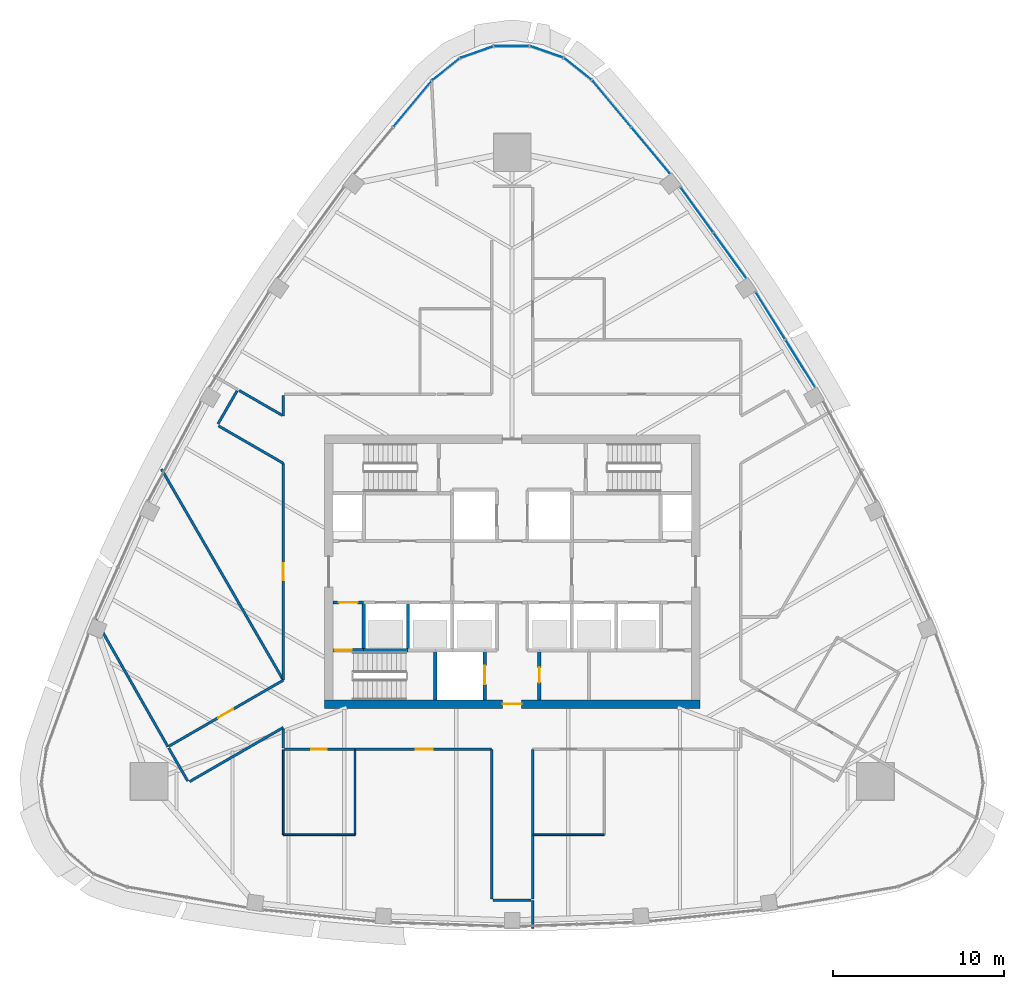
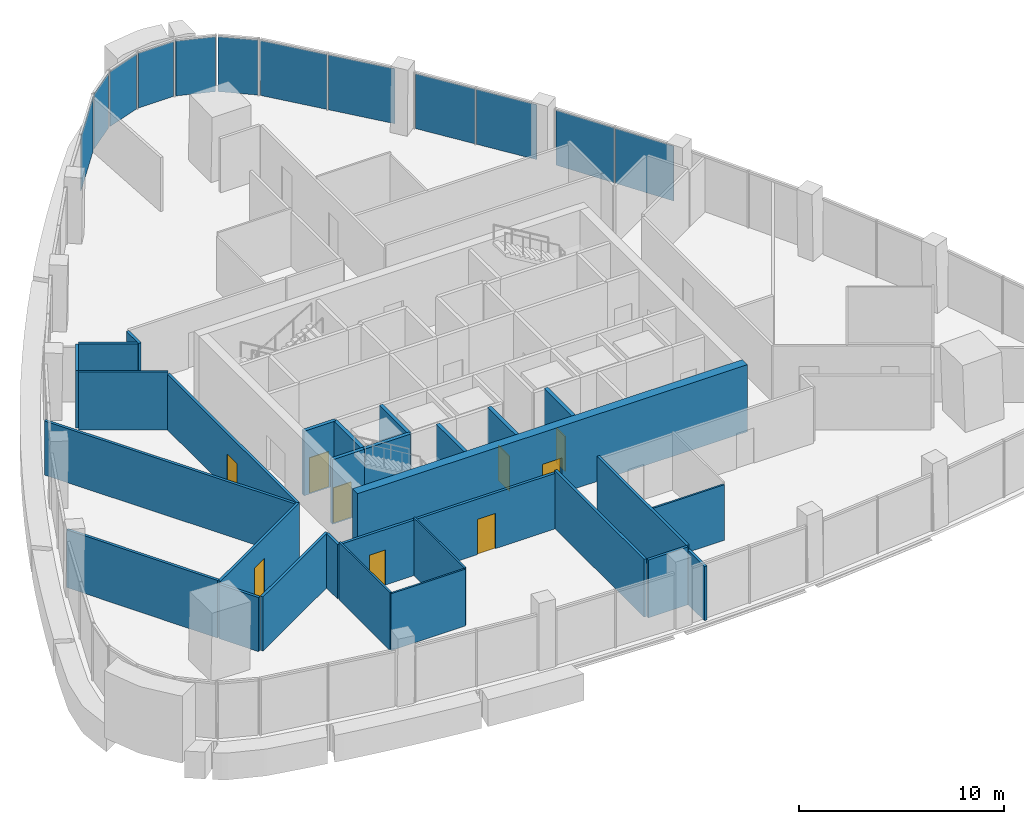
# One storey, part 8 of 15: 29 walls, 12 plates, 9 doors, 9 openings, 9 elements without a shape of their own.
"""IFC4 building model written with IfcOpenShell, lengths in metres."""

from ifc_helpers import new_model, si_unit, direction, frame, frame_2d, origin, origin_2d, place, context, subcontext, project, spatial, rectangle, extrude, material, layer, layer_set, type_object, element, fill, aggregate, save


model = new_model("IFC4")

# Units and contexts
model_context = context("Model", 3, precision=1e-05, world=origin(), true_north=direction((0.0, 1.0)))
body_context = subcontext(model_context, "Body", "Model", "MODEL_VIEW")
ifc_project = project(units=[si_unit("LENGTHUNIT", "METRE"), si_unit("AREAUNIT", "SQUARE_METRE"), si_unit("VOLUMEUNIT", "CUBIC_METRE"), si_unit("PLANEANGLEUNIT", "RADIAN"), si_unit("MASSUNIT", "GRAM", prefix="KILO")], contexts=[model_context])

# Site, building, storey
site_placement = place(None, origin())
site = spatial("IfcSite", under=ifc_project, at=site_placement, CompositionType="ELEMENT")
building_placement = place(site_placement, origin())
building = spatial("IfcBuilding", under=site, at=building_placement, Name="Sierra Prisma Convention Tower", CompositionType="ELEMENT")
storey_placement = place(building_placement, frame((0.0, 0.0, 267.0)))
storey = spatial("IfcBuildingStorey", under=building, at=storey_placement, Name="L60", CompositionType="ELEMENT", Elevation=267.0)

# Curtain wall, plates
ifc_material_1 = material(Name="Aluminium and glass curtain wall", Category="aluminium")
ifc_layer_1 = layer(ifc_material_1, 0.179931640625)
ifc_layer_set_1 = layer_set([ifc_layer_1], Name="CW-1 Plain shaft curtain wall")
curtain_wall_type = type_object("IfcCurtainWallType", Name="CW-1 Plain shaft curtain wall", PredefinedType="NOTDEFINED", material=ifc_layer_set_1)
curtain_wall_1_placement = place(storey_placement, origin())
curtain_wall_1 = element("IfcCurtainWall", 1, at=curtain_wall_1_placement, inside=storey, type_object=curtain_wall_type, Name="CW-1 NE4 L60", PredefinedType="NOTDEFINED")
ifc_material_2 = material(Name="Tinted glass bronze-grey IGU", Category="glass")
ifc_layer_2 = layer(ifc_material_2, 0.028076171875)
ifc_layer_set_2 = layer_set([ifc_layer_2], Name="CW-1 glass panel")
plate_type = type_object("IfcPlateType", Name="CW-1 glass panel", PredefinedType="CURTAIN_PANEL", material=ifc_layer_set_2)
plate_1_placement = place(storey_placement, frame((16.86767578125, 12.200927734375, 0.0), z_axis=(0.0, 0.0, 1.0), x_axis=(-0.52938960412, 0.848378834631, 0.0)))
plate_1 = element("IfcPlate", 2, at=plate_1_placement, type_object=plate_type, Name="CW-1 panel NE4.1", PredefinedType="CURTAIN_PANEL", context=body_context, shape_type="SweptSolid", body=[
    extrude(rectangle(XDim=3.227294921875, YDim=0.028076171875, at=origin_2d()), origin(), (0.0, 0.0, 1.0), 3.280029296875),
])
plate_2_placement = place(storey_placement, frame((15.1220703125, 14.998291015625, 0.0), z_axis=(0.0, 0.0, 1.0), x_axis=(-0.52938960412, 0.848378834631, 0.0)))
plate_2 = element("IfcPlate", 3, at=plate_2_placement, type_object=plate_type, Name="CW-1 panel NE4.2", PredefinedType="CURTAIN_PANEL", context=body_context, shape_type="SweptSolid", body=[
    extrude(rectangle(XDim=3.227294921875, YDim=0.028076171875, at=origin_2d()), origin(), (0.0, 0.0, 1.0), 3.280029296875),
])
aggregate(curtain_wall_1, [plate_1, plate_2])

curtain_wall_2_placement = place(storey_placement, origin())
curtain_wall_2 = element("IfcCurtainWall", 4, at=curtain_wall_2_placement, inside=storey, type_object=curtain_wall_type, Name="CW-1 NE5 L60", PredefinedType="NOTDEFINED")
plate_3_placement = place(storey_placement, frame((12.73974609375, 18.541015625, 0.0), z_axis=(0.0, 0.0, 1.0), x_axis=(-0.5862686693, 0.810116687519, 0.0)))
plate_3 = element("IfcPlate", 5, at=plate_3_placement, type_object=plate_type, Name="CW-1 panel NE5.1", PredefinedType="CURTAIN_PANEL", context=body_context, shape_type="SweptSolid", body=[
    extrude(rectangle(XDim=3.212158203125, YDim=0.028076171875, at=origin_2d()), origin(), (0.0, 0.0, 1.0), 3.280029296875),
])
plate_4_placement = place(storey_placement, frame((10.8154296875, 21.199951171875, 0.0), z_axis=(0.0, 0.0, 1.0), x_axis=(-0.5862686693, 0.810116687519, 0.0)))
plate_4 = element("IfcPlate", 6, at=plate_4_placement, type_object=plate_type, Name="CW-1 panel NE5.2", PredefinedType="CURTAIN_PANEL", context=body_context, shape_type="SweptSolid", body=[
    extrude(rectangle(XDim=3.212158203125, YDim=0.028076171875, at=origin_2d()), origin(), (0.0, 0.0, 1.0), 3.280029296875),
])
aggregate(curtain_wall_2, [plate_3, plate_4])

curtain_wall_3_placement = place(storey_placement, origin())
curtain_wall_3 = element("IfcCurtainWall", 7, at=curtain_wall_3_placement, inside=storey, type_object=curtain_wall_type, Name="CW-1 NE6 L60", PredefinedType="NOTDEFINED")
plate_5_placement = place(storey_placement, frame((8.10400390625, 24.68408203125, 0.0), z_axis=(0.0, 0.0, 1.0), x_axis=(-0.640392729049, 0.768047623902, 0.0)))
plate_5 = element("IfcPlate", 8, at=plate_5_placement, type_object=plate_type, Name="CW-1 panel NE6.1", PredefinedType="CURTAIN_PANEL", context=body_context, shape_type="SweptSolid", body=[
    extrude(rectangle(XDim=3.458251953125, YDim=0.028076171875, at=origin_2d()), origin(), (0.0, 0.0, 1.0), 3.280029296875),
])
plate_6_placement = place(storey_placement, frame((5.844482421875, 27.39404296875, 0.0), z_axis=(0.0, 0.0, 1.0), x_axis=(-0.640392729049, 0.768047623902, 0.0)))
plate_6 = element("IfcPlate", 9, at=plate_6_placement, type_object=plate_type, Name="CW-1 panel NE6.2", PredefinedType="CURTAIN_PANEL", context=body_context, shape_type="SweptSolid", body=[
    extrude(rectangle(XDim=3.458251953125, YDim=0.028076171875, at=origin_2d()), origin(), (0.0, 0.0, 1.0), 3.280029296875),
])
aggregate(curtain_wall_3, [plate_5, plate_6])

# Curtain wall, plate
curtain_wall_4_placement = place(storey_placement, origin())
curtain_wall_4 = element("IfcCurtainWall", 10, at=curtain_wall_4_placement, inside=storey, type_object=curtain_wall_type, Name="CW-1 N1 L60", PredefinedType="NOTDEFINED")
plate_7_placement = place(storey_placement, frame((3.8681640625, 29.43310546875, 0.0), z_axis=(0.0, 0.0, 1.0), x_axis=(-0.781828160213, 0.623493967812, 0.0)))
plate_7 = element("IfcPlate", 11, at=plate_7_placement, type_object=plate_type, Name="CW-1 panel N1.1", PredefinedType="CURTAIN_PANEL", context=body_context, shape_type="SweptSolid", body=[
    extrude(rectangle(XDim=1.96826171875, YDim=0.028076171875, at=origin_2d()), origin(), (0.0, 0.0, 1.0), 3.280029296875),
])
aggregate(curtain_wall_4, [plate_7])

curtain_wall_5_placement = place(storey_placement, origin())
curtain_wall_5 = element("IfcCurtainWall", 12, at=curtain_wall_5_placement, inside=storey, type_object=curtain_wall_type, Name="CW-1 N2 L60", PredefinedType="NOTDEFINED")
plate_8_placement = place(storey_placement, frame((2.049072265625, 30.4384765625, 0.0), z_axis=(0.0, 0.0, 1.0), x_axis=(-0.943882450365, 0.330281576679, 0.0)))
plate_8 = element("IfcPlate", 13, at=plate_8_placement, type_object=plate_type, Name="CW-1 panel N2.1", PredefinedType="CURTAIN_PANEL", context=body_context, shape_type="SweptSolid", body=[
    extrude(rectangle(XDim=1.96826171875, YDim=0.028076171875, at=origin_2d()), origin(), (0.0, 0.0, 1.0), 3.280029296875),
])
aggregate(curtain_wall_5, [plate_8])

curtain_wall_6_placement = place(storey_placement, origin())
curtain_wall_6 = element("IfcCurtainWall", 14, at=curtain_wall_6_placement, inside=storey, type_object=curtain_wall_type, Name="CW-1 N3 L60", PredefinedType="NOTDEFINED")
plate_9_placement = place(storey_placement, frame((0.0, 30.78662109375, 0.0), z_axis=(0.0, 0.0, 1.0), x_axis=(-1.0, 0.0, 0.0)))
plate_9 = element("IfcPlate", 15, at=plate_9_placement, type_object=plate_type, Name="CW-1 panel N3.1", PredefinedType="CURTAIN_PANEL", context=body_context, shape_type="SweptSolid", body=[
    extrude(rectangle(XDim=1.96826171875, YDim=0.028076171875, at=origin_2d()), origin(), (0.0, 0.0, 1.0), 3.280029296875),
])
aggregate(curtain_wall_6, [plate_9])

curtain_wall_7_placement = place(storey_placement, origin())
curtain_wall_7 = element("IfcCurtainWall", 16, at=curtain_wall_7_placement, inside=storey, type_object=curtain_wall_type, Name="CW-1 N4 L60", PredefinedType="NOTDEFINED")
plate_10_placement = place(storey_placement, frame((-2.049072265625, 30.4384765625, 0.0), z_axis=(0.0, 0.0, 1.0), x_axis=(-0.943882450365, -0.330281576679, 0.0)))
plate_10 = element("IfcPlate", 17, at=plate_10_placement, type_object=plate_type, Name="CW-1 panel N4.1", PredefinedType="CURTAIN_PANEL", context=body_context, shape_type="SweptSolid", body=[
    extrude(rectangle(XDim=1.96826171875, YDim=0.028076171875, at=origin_2d()), origin(), (0.0, 0.0, 1.0), 3.280029296875),
])
aggregate(curtain_wall_7, [plate_10])

curtain_wall_8_placement = place(storey_placement, origin())
curtain_wall_8 = element("IfcCurtainWall", 18, at=curtain_wall_8_placement, inside=storey, type_object=curtain_wall_type, Name="CW-1 N5 L60", PredefinedType="NOTDEFINED")
plate_11_placement = place(storey_placement, frame((-3.8681640625, 29.43310546875, 0.0), z_axis=(0.0, 0.0, 1.0), x_axis=(-0.781828160213, -0.623493967812, 0.0)))
plate_11 = element("IfcPlate", 19, at=plate_11_placement, type_object=plate_type, Name="CW-1 panel N5.1", PredefinedType="CURTAIN_PANEL", context=body_context, shape_type="SweptSolid", body=[
    extrude(rectangle(XDim=1.96826171875, YDim=0.028076171875, at=origin_2d()), origin(), (0.0, 0.0, 1.0), 3.280029296875),
])
aggregate(curtain_wall_8, [plate_11])

curtain_wall_9_placement = place(storey_placement, origin())
curtain_wall_9 = element("IfcCurtainWall", 20, at=curtain_wall_9_placement, inside=storey, type_object=curtain_wall_type, Name="CW-1 NW1 L60", PredefinedType="NOTDEFINED")
plate_12_placement = place(storey_placement, frame((-5.844482421875, 27.39404296875, 0.0), z_axis=(0.0, 0.0, 1.0), x_axis=(-0.640392729049, -0.768047623902, 0.0)))
plate_12 = element("IfcPlate", 21, at=plate_12_placement, type_object=plate_type, Name="CW-1 panel NW1.1", PredefinedType="CURTAIN_PANEL", context=body_context, shape_type="SweptSolid", body=[
    extrude(rectangle(XDim=3.458251953125, YDim=0.028076171875, at=origin_2d()), origin(), (0.0, 0.0, 1.0), 3.280029296875),
])
aggregate(curtain_wall_9, [plate_12])

# Walls
ifc_material_3 = material(Name="Gypsum board partition", Category="gypsum")
ifc_layer_3 = layer(ifc_material_3, 0.10009765625)
ifc_layer_set_3 = layer_set([ifc_layer_3], Name="Bathroom partition 100")
wall_type_1 = type_object("IfcWallType", Name="Bathroom partition 100", PredefinedType="PARTITIONING", material=ifc_layer_set_3)
wall_1_placement = place(storey_placement, frame((-9.199951171875, -10.429931640625, 0.0), z_axis=(0.0, 0.0, 1.0), x_axis=(0.0, -1.0, 0.0)))
element("IfcWall", 22, at=wall_1_placement, inside=storey, type_object=wall_type_1, Name="Partition L60 bath 1", PredefinedType="PARTITIONING", context=body_context, shape_type="SweptSolid", body=[
    extrude(rectangle(XDim=4.969970703125, YDim=0.10009765625, at=frame_2d((2.48486328125, 0.0))), origin(), (0.0, 0.0, 1.0), 3.449951171875),
])
wall_2_placement = place(storey_placement, frame((-9.199951171875, -15.39990234375, 0.0), z_axis=(0.0, 0.0, 1.0), x_axis=(-1.0, 0.0, 0.0)))
element("IfcWall", 23, at=wall_2_placement, inside=storey, type_object=wall_type_1, Name="Partition L60 bath 2", PredefinedType="PARTITIONING", context=body_context, shape_type="SweptSolid", body=[
    extrude(rectangle(XDim=4.199951171875, YDim=0.10009765625, at=frame_2d((2.10009765625, 0.0))), origin(), (0.0, 0.0, 1.0), 3.39306640625),
])
wall_3_placement = place(storey_placement, frame((-13.39990234375, -15.39990234375, 0.0), z_axis=(0.0, 0.0, 1.0), x_axis=(0.0, 1.0, 0.0)))
element("IfcWall", 24, at=wall_3_placement, inside=storey, type_object=wall_type_1, Name="Partition L60 bath 3", PredefinedType="PARTITIONING", context=body_context, shape_type="SweptSolid", body=[
    extrude(rectangle(XDim=4.969970703125, YDim=0.10009765625, at=frame_2d((2.48486328125, 0.0))), origin(), (0.0, 0.0, 1.0), 3.449951171875),
])
wall_4_placement = place(storey_placement, frame((5.39990234375, -15.39990234375, 0.0), z_axis=(0.0, 0.0, 1.0), x_axis=(-1.0, 0.0, 0.0)))
element("IfcWall", 25, at=wall_4_placement, inside=storey, type_object=wall_type_1, Name="Partition L60 bath 7", PredefinedType="PARTITIONING", context=body_context, shape_type="SweptSolid", body=[
    extrude(rectangle(XDim=4.169921875, YDim=0.10009765625, at=frame_2d((2.0849609375, 0.0))), origin(), (0.0, 0.0, 1.0), 3.31689453125),
])

# Wall, opening, door
ifc_material_4 = material(Name="Concrete C30/37", Category="concrete")
ifc_layer_4 = layer(ifc_material_4, 0.199951171875)
ifc_layer_set_4 = layer_set([ifc_layer_4], Name="Core wall RC 200 C30/37")
wall_type_2 = type_object("IfcWallType", Name="Core wall RC 200 C30/37", PredefinedType="SOLIDWALL", material=ifc_layer_set_4)
wall_5_placement = place(storey_placement, frame((-10.5, -4.60009765625, 0.0), z_axis=(0.0, 0.0, 1.0), x_axis=(1.0, 0.0, 0.0)))
wall_5 = element("IfcWall", 26, at=wall_5_placement, inside=storey, type_object=wall_type_2, Name="Core wall L60 1", PredefinedType="SOLIDWALL", context=body_context, shape_type="SweptSolid", body=[
    extrude(rectangle(XDim=1.800048828125, YDim=0.199951171875, at=frame_2d((0.89990234375, 0.0))), origin(), (0.0, 0.0, 1.0), 3.85009765625),
])
opening_1_placement = place(wall_5_placement, frame((0.10009765625, 0.0, 0.0)))
opening_1 = element("IfcOpeningElement", 27, at=opening_1_placement, cuts=wall_5, Name="Opening L60-D017", PredefinedType="OPENING", context=body_context, shape_type="SweptSolid", body=[
    extrude(rectangle(XDim=1.0, YDim=2.10009765625, at=frame_2d((0.5, 1.050048828125))), frame((0.0, 0.10009765625, 0.0), z_axis=(0.0, -1.0, 0.0), x_axis=(1.0, 0.0, 0.0)), (0.0, 0.0, 1.0), 0.199951171875),
])
ifc_material_5 = material(Name="Steel fire door leaf", Category="steel")
door_type_1 = type_object("IfcDoorType", Name="Door 1000x2100 FD90S", OperationType="SINGLE_SWING_LEFT", PredefinedType="DOOR", material=ifc_material_5)
door_1_placement = place(opening_1_placement, origin())
door_1 = element("IfcDoor", 28, at=door_1_placement, inside=storey, type_object=door_type_1, Name="Door L60 31", OperationType="SINGLE_SWING_LEFT", OverallHeight=2.10009765625, OverallWidth=1.0, PredefinedType="DOOR", context=body_context, shape_type="SweptSolid", body=[
    extrude(rectangle(XDim=1.0, YDim=2.10009765625, at=frame_2d((0.5, 1.050048828125))), frame((0.0, 0.02490234375, 0.0), z_axis=(0.0, -1.0, 0.0), x_axis=(1.0, 0.0, 0.0)), (0.0, 0.0, 1.0), 0.050048828125),
])
fill(opening_1, door_1)

wall_6_placement = place(storey_placement, frame((-10.5, -1.800048828125, 0.0), z_axis=(0.0, 0.0, 1.0), x_axis=(1.0, 0.0, 0.0)))
wall_6 = element("IfcWall", 29, at=wall_6_placement, inside=storey, type_object=wall_type_2, Name="Core wall L60 2", PredefinedType="SOLIDWALL", context=body_context, shape_type="SweptSolid", body=[
    extrude(rectangle(XDim=1.800048828125, YDim=0.199951171875, at=frame_2d((0.89990234375, 0.0))), origin(), (0.0, 0.0, 1.0), 3.85009765625),
])
opening_2_placement = place(wall_6_placement, frame((0.35009765625, 0.0, 0.0)))
opening_2 = element("IfcOpeningElement", 30, at=opening_2_placement, cuts=wall_6, Name="Opening L60-D012", PredefinedType="OPENING", context=body_context, shape_type="SweptSolid", body=[
    extrude(rectangle(XDim=1.10009765625, YDim=2.10009765625, at=frame_2d((0.550048828125, 1.050048828125))), frame((0.0, 0.10009765625, 0.0), z_axis=(0.0, -1.0, 0.0), x_axis=(1.0, 0.0, 0.0)), (0.0, 0.0, 1.0), 0.199951171875),
])
ifc_material_6 = material(Name="Steel fire door leaf", Category="steel")
door_type_2 = type_object("IfcDoorType", Name="Door 1100x2100 FD90S", OperationType="SINGLE_SWING_LEFT", PredefinedType="DOOR", material=ifc_material_6)
door_2_placement = place(opening_2_placement, origin())
door_2 = element("IfcDoor", 31, at=door_2_placement, inside=storey, type_object=door_type_2, Name="Door L60 26", OperationType="SINGLE_SWING_RIGHT", OverallHeight=2.10009765625, OverallWidth=1.10009765625, PredefinedType="DOOR", context=body_context, shape_type="SweptSolid", body=[
    extrude(rectangle(XDim=1.10009765625, YDim=2.10009765625, at=frame_2d((0.550048828125, 1.050048828125))), frame((0.0, 0.02490234375, 0.0), z_axis=(0.0, -1.0, 0.0), x_axis=(1.0, 0.0, 0.0)), (0.0, 0.0, 1.0), 0.050048828125),
])
fill(opening_2, door_2)

# Walls
wall_7_placement = place(storey_placement, frame((-8.699951171875, -4.60009765625, 0.0), z_axis=(0.0, 0.0, 1.0), x_axis=(1.0, 0.0, 0.0)))
element("IfcWall", 32, at=wall_7_placement, inside=storey, type_object=wall_type_2, Name="Core wall L60 5", PredefinedType="SOLIDWALL", context=body_context, shape_type="SweptSolid", body=[
    extrude(rectangle(XDim=2.599853515625, YDim=0.199951171875, at=frame_2d((1.2998046875, 0.0))), origin(), (0.0, 0.0, 1.0), 3.85009765625),
])
for number, where, z_axis, x_axis, name in (
    (33, (-8.699951171875, -4.60009765625, 0.0), (0.0, 0.0, 1.0), (0.0, 1.0, 0.0), "Core wall L60 6"),
    (34, (-6.10009765625, -4.60009765625, 0.0), (0.0, 0.0, 1.0), (0.0, 1.0, 0.0), "Core wall L60 12"),
):
    element("IfcWall", number, at=place(storey_placement, frame(where, z_axis=z_axis, x_axis=x_axis)), inside=storey, type_object=wall_type_2, Name=name, PredefinedType="SOLIDWALL", context=body_context, shape_type="SweptSolid", body=[
        extrude(rectangle(XDim=2.800048828125, YDim=0.199951171875, at=frame_2d((1.39990234375, 0.0))), origin(), (0.0, 0.0, 1.0), 3.85009765625),
    ])
wall_8_placement = place(storey_placement, frame((-4.5, -4.60009765625, 0.0), z_axis=(0.0, 0.0, 1.0), x_axis=(0.0, -1.0, 0.0)))
element("IfcWall", 35, at=wall_8_placement, inside=storey, type_object=wall_type_2, Name="Core wall L60 14", PredefinedType="SOLIDWALL", context=body_context, shape_type="SweptSolid", body=[
    extrude(rectangle(XDim=2.89990234375, YDim=0.199951171875, at=frame_2d((1.449951171875, 0.0))), origin(), (0.0, 0.0, 1.0), 3.85009765625),
])

# Wall, opening, door
wall_9_placement = place(storey_placement, frame((-1.60009765625, -7.5, 0.0), z_axis=(0.0, 0.0, 1.0), x_axis=(0.0, 1.0, 0.0)))
wall_9 = element("IfcWall", 36, at=wall_9_placement, inside=storey, type_object=wall_type_2, Name="Core wall L60 27", PredefinedType="SOLIDWALL", context=body_context, shape_type="SweptSolid", body=[
    extrude(rectangle(XDim=2.89990234375, YDim=0.199951171875, at=frame_2d((1.449951171875, 0.0))), origin(), (0.0, 0.0, 1.0), 3.85009765625),
])
opening_3_placement = place(wall_9_placement, frame((0.89990234375, 0.0, 0.0)))
opening_3 = element("IfcOpeningElement", 37, at=opening_3_placement, cuts=wall_9, Name="Opening L60-D009", PredefinedType="OPENING", context=body_context, shape_type="SweptSolid", body=[
    extrude(rectangle(XDim=1.10009765625, YDim=2.10009765625, at=frame_2d((0.550048828125, 1.050048828125))), frame((0.0, 0.10009765625, 0.0), z_axis=(0.0, -1.0, 0.0), x_axis=(1.0, 0.0, 0.0)), (0.0, 0.0, 1.0), 0.199951171875),
])
ifc_material_7 = material(Name="Steel fire door leaf", Category="steel")
door_type_3 = type_object("IfcDoorType", Name="Door 1100x2100 EI 90 sliding lift landing", OperationType="SLIDING_TO_LEFT", PredefinedType="DOOR", material=ifc_material_7)
door_3_placement = place(opening_3_placement, origin())
door_3 = element("IfcDoor", 38, at=door_3_placement, inside=storey, type_object=door_type_3, Name="Door L60 23", OperationType="SLIDING_TO_LEFT", OverallHeight=2.10009765625, OverallWidth=1.10009765625, PredefinedType="DOOR", context=body_context, shape_type="SweptSolid", body=[
    extrude(rectangle(XDim=1.10009765625, YDim=2.10009765625, at=frame_2d((0.550048828125, 1.050048828125))), frame((0.0, 0.02490234375, 0.0), z_axis=(0.0, -1.0, 0.0), x_axis=(1.0, 0.0, 0.0)), (0.0, 0.0, 1.0), 0.050048828125),
])
fill(opening_3, door_3)

wall_10_placement = place(storey_placement, frame((1.60009765625, -4.60009765625, 0.0), z_axis=(0.0, 0.0, 1.0), x_axis=(0.0, -1.0, 0.0)))
wall_10 = element("IfcWall", 39, at=wall_10_placement, inside=storey, type_object=wall_type_2, Name="Core wall L60 39", PredefinedType="SOLIDWALL", context=body_context, shape_type="SweptSolid", body=[
    extrude(rectangle(XDim=2.89990234375, YDim=0.199951171875, at=frame_2d((1.449951171875, 0.0))), origin(), (0.0, 0.0, 1.0), 3.85009765625),
])
opening_4_placement = place(wall_10_placement, frame((1.0, 0.0, 0.0)))
opening_4 = element("IfcOpeningElement", 40, at=opening_4_placement, cuts=wall_10, Name="Opening L60-D024", PredefinedType="OPENING", context=body_context, shape_type="SweptSolid", body=[
    extrude(rectangle(XDim=0.89990234375, YDim=2.10009765625, at=frame_2d((0.449951171875, 1.050048828125))), frame((0.0, 0.10009765625, 0.0), z_axis=(0.0, -1.0, 0.0), x_axis=(1.0, 0.0, 0.0)), (0.0, 0.0, 1.0), 0.199951171875),
])
ifc_material_8 = material(Name="Steel fire door leaf", Category="steel")
door_type_4 = type_object("IfcDoorType", Name="Door 900x2100 FD30S", OperationType="SINGLE_SWING_LEFT", PredefinedType="DOOR", material=ifc_material_8)
door_4_placement = place(opening_4_placement, origin())
door_4 = element("IfcDoor", 41, at=door_4_placement, inside=storey, type_object=door_type_4, Name="Door L60 38", OperationType="SINGLE_SWING_RIGHT", OverallHeight=2.10009765625, OverallWidth=0.89990234375, PredefinedType="DOOR", context=body_context, shape_type="SweptSolid", body=[
    extrude(rectangle(XDim=0.89990234375, YDim=2.10009765625, at=frame_2d((0.449951171875, 1.050048828125))), frame((0.0, 0.02490234375, 0.0), z_axis=(0.0, -1.0, 0.0), x_axis=(1.0, 0.0, 0.0)), (0.0, 0.0, 1.0), 0.050048828125),
])
fill(opening_4, door_4)

ifc_material_9 = material(Name="Concrete C50/60", Category="concrete")
ifc_layer_5 = layer(ifc_material_9, 0.5)
ifc_layer_set_5 = layer_set([ifc_layer_5], Name="Core wall RC 500 C50/60")
wall_type_3 = type_object("IfcWallType", Name="Core wall RC 500 C50/60", PredefinedType="SHEAR", material=ifc_layer_set_5)
wall_11_placement = place(storey_placement, frame((-11.0, -7.75, 0.0), z_axis=(0.0, 0.0, 1.0), x_axis=(1.0, 0.0, 0.0)))
wall_11 = element("IfcWall", 42, at=wall_11_placement, inside=storey, type_object=wall_type_3, Name="Core wall S L60", PredefinedType="SHEAR", context=body_context, shape_type="SweptSolid", body=[
    extrude(rectangle(XDim=22.0, YDim=0.5, at=frame_2d((11.0, 0.0))), origin(), (0.0, 0.0, 1.0), 4.0),
])
opening_5_placement = place(wall_11_placement, frame((10.449951171875, 0.0, 0.0)))
opening_5 = element("IfcOpeningElement", 43, at=opening_5_placement, cuts=wall_11, Name="Opening L60-D041", PredefinedType="OPENING", context=body_context, shape_type="SweptSolid", body=[
    extrude(rectangle(XDim=1.10009765625, YDim=2.10009765625, at=frame_2d((0.550048828125, 1.050048828125))), frame((0.0, 0.25, 0.0), z_axis=(0.0, -1.0, 0.0), x_axis=(1.0, 0.0, 0.0)), (0.0, 0.0, 1.0), 0.5),
])
ifc_material_10 = material(Name="Steel fire door leaf", Category="steel")
door_type_5 = type_object("IfcDoorType", Name="Door 1100x2100 FD30S", OperationType="SINGLE_SWING_LEFT", PredefinedType="DOOR", material=ifc_material_10)
door_5_placement = place(opening_5_placement, origin())
door_5 = element("IfcDoor", 44, at=door_5_placement, inside=storey, type_object=door_type_5, Name="Door L60 42", OperationType="SINGLE_SWING_LEFT", OverallHeight=2.10009765625, OverallWidth=1.10009765625, PredefinedType="DOOR", context=body_context, shape_type="SweptSolid", body=[
    extrude(rectangle(XDim=1.10009765625, YDim=2.10009765625, at=frame_2d((0.550048828125, 1.050048828125))), frame((0.0, 0.02490234375, 0.0), z_axis=(0.0, -1.0, 0.0), x_axis=(1.0, 0.0, 0.0)), (0.0, 0.0, 1.0), 0.050048828125),
])
fill(opening_5, door_5)

# Wall
ifc_material_11 = material(Name="Gypsum board partition", Category="gypsum")
ifc_layer_6 = layer(ifc_material_11, 0.14990234375)
ifc_layer_set_6 = layer_set([ifc_layer_6], Name="Corridor wall 150 gypsum EI 60")
wall_type_4 = type_object("IfcWallType", Name="Corridor wall 150 gypsum EI 60", PredefinedType="PARTITIONING", material=ifc_layer_set_6)
wall_12_placement = place(storey_placement, frame((-20.1171875, -10.3212890625, 0.0), z_axis=(0.0, 0.0, 1.0), x_axis=(0.500030632641, -0.866007717299, 0.0)))
element("IfcWall", 45, at=wall_12_placement, inside=storey, type_object=wall_type_4, Name="Partition L60 corr 1", PredefinedType="PARTITIONING", context=body_context, shape_type="SweptSolid", body=[
    extrude(rectangle(XDim=2.239990234375, YDim=0.14990234375, at=frame_2d((1.1201171875, 0.0))), origin(), (0.0, 0.0, 1.0), 3.23291015625),
])

# Wall, opening, door
wall_13_placement = place(storey_placement, frame((-13.39990234375, -6.350830078125, 0.0), z_axis=(0.0, 0.0, 1.0), x_axis=(-0.866024490366, -0.500001582084, 0.0)))
wall_13 = element("IfcWall", 46, at=wall_13_placement, inside=storey, type_object=wall_type_4, Name="Partition L60 corr 2", PredefinedType="PARTITIONING", context=body_context, shape_type="SweptSolid", body=[
    extrude(rectangle(XDim=7.72265625, YDim=0.14990234375, at=frame_2d((3.861328125, 0.0))), origin(), (0.0, 0.0, 1.0), 3.31689453125),
])
opening_6_placement = place(wall_13_placement, frame((3.4013671875, 0.0, 0.0)))
opening_6 = element("IfcOpeningElement", 47, at=opening_6_placement, cuts=wall_13, Name="Opening L60-D032", PredefinedType="OPENING", context=body_context, shape_type="SweptSolid", body=[
    extrude(rectangle(XDim=1.0, YDim=2.10009765625, at=frame_2d((0.5, 1.050048828125))), frame((0.0, 0.074951171875, 0.0), z_axis=(0.0, -1.0, 0.0), x_axis=(1.0, 0.0, 0.0)), (0.0, 0.0, 1.0), 0.14990234375),
])
ifc_material_12 = material(Name="Steel fire door leaf", Category="steel")
door_type_6 = type_object("IfcDoorType", Name="Door 1000x2100 FD30S", OperationType="SINGLE_SWING_LEFT", PredefinedType="DOOR", material=ifc_material_12)
door_6_placement = place(opening_6_placement, origin())
door_6 = element("IfcDoor", 48, at=door_6_placement, inside=storey, type_object=door_type_6, Name="Door L60 8", OperationType="SINGLE_SWING_LEFT", OverallHeight=2.10009765625, OverallWidth=1.0, PredefinedType="DOOR", context=body_context, shape_type="SweptSolid", body=[
    extrude(rectangle(XDim=1.0, YDim=2.10009765625, at=frame_2d((0.5, 1.050048828125))), frame((0.0, 0.02490234375, 0.0), z_axis=(0.0, -1.0, 0.0), x_axis=(1.0, 0.0, 0.0)), (0.0, 0.0, 1.0), 0.050048828125),
])
fill(opening_6, door_6)

# Walls
wall_14_placement = place(storey_placement, frame((-18.8876953125, -12.29052734375, 0.0), z_axis=(0.0, 0.0, 1.0), x_axis=(0.866020054385, 0.500009265317, 0.0)))
element("IfcWall", 49, at=wall_14_placement, inside=storey, type_object=wall_type_4, Name="Partition L60 corr 3", PredefinedType="PARTITIONING", context=body_context, shape_type="SweptSolid", body=[
    extrude(rectangle(XDim=6.3369140625, YDim=0.14990234375, at=frame_2d((3.16845703125, 0.0))), origin(), (0.0, 0.0, 1.0), 3.23291015625),
])
wall_15_placement = place(storey_placement, frame((-13.39990234375, -9.213623046875, 0.0), z_axis=(0.0, 0.0, 1.0), x_axis=(0.0, -1.0, 0.0)))
element("IfcWall", 50, at=wall_15_placement, inside=storey, type_object=wall_type_4, Name="Partition L60 corr 4", PredefinedType="PARTITIONING", context=body_context, shape_type="SweptSolid", body=[
    extrude(rectangle(XDim=1.1064453125, YDim=0.14990234375, at=frame_2d((0.55322265625, 0.0))), origin(), (0.0, 0.0, 1.0), 3.23291015625),
])
wall_16_placement = place(storey_placement, frame((-16.1083984375, 10.593505859375, 0.0), z_axis=(0.0, 0.0, 1.0), x_axis=(-0.500030632641, -0.866007717299, 0.0)))
element("IfcWall", 51, at=wall_16_placement, inside=storey, type_object=wall_type_4, Name="Partition L60 corr 5", PredefinedType="PARTITIONING", context=body_context, shape_type="SweptSolid", body=[
    extrude(rectangle(XDim=2.239990234375, YDim=0.14990234375, at=frame_2d((1.1201171875, 0.0))), origin(), (0.0, 0.0, 1.0), 3.449951171875),
])
wall_17_placement = place(storey_placement, frame((-17.19921875, 8.544189453125, 0.0), z_axis=(0.0, 0.0, 1.0), x_axis=(0.866042871377, -0.499969744021, 0.0)))
element("IfcWall", 52, at=wall_17_placement, inside=storey, type_object=wall_type_4, Name="Partition L60 corr 6", PredefinedType="PARTITIONING", context=body_context, shape_type="SweptSolid", body=[
    extrude(rectangle(XDim=4.386962890625, YDim=0.14990234375, at=frame_2d((2.193359375, 0.0))), origin(), (0.0, 0.0, 1.0), 3.449951171875),
])

# Wall, opening, door
wall_18_placement = place(storey_placement, frame((-13.39990234375, 6.350830078125, 0.0), z_axis=(0.0, 0.0, 1.0), x_axis=(0.0, -1.0, 0.0)))
wall_18 = element("IfcWall", 53, at=wall_18_placement, inside=storey, type_object=wall_type_4, Name="Partition L60 corr 7", PredefinedType="PARTITIONING", context=body_context, shape_type="SweptSolid", body=[
    extrude(rectangle(XDim=12.70166015625, YDim=0.14990234375, at=frame_2d((6.350830078125, 0.0))), origin(), (0.0, 0.0, 1.0), 3.31689453125),
])
opening_7_placement = place(wall_18_placement, frame((5.850830078125, 0.0, 0.0)))
opening_7 = element("IfcOpeningElement", 54, at=opening_7_placement, cuts=wall_18, Name="Opening L60-D031", PredefinedType="OPENING", context=body_context, shape_type="SweptSolid", body=[
    extrude(rectangle(XDim=1.0, YDim=2.10009765625, at=frame_2d((0.5, 1.050048828125))), frame((0.0, 0.074951171875, 0.0), z_axis=(0.0, -1.0, 0.0), x_axis=(1.0, 0.0, 0.0)), (0.0, 0.0, 1.0), 0.14990234375),
])
door_7_placement = place(opening_7_placement, origin())
door_7 = element("IfcDoor", 55, at=door_7_placement, inside=storey, type_object=door_type_6, Name="Door L60 7", OperationType="SINGLE_SWING_LEFT", OverallHeight=2.10009765625, OverallWidth=1.0, PredefinedType="DOOR", context=body_context, shape_type="SweptSolid", body=[
    extrude(rectangle(XDim=1.0, YDim=2.10009765625, at=frame_2d((0.5, 1.050048828125))), frame((0.0, 0.02490234375, 0.0), z_axis=(0.0, -1.0, 0.0), x_axis=(1.0, 0.0, 0.0)), (0.0, 0.0, 1.0), 0.050048828125),
])
fill(opening_7, door_7)

# Walls
wall_19_placement = place(storey_placement, frame((-13.39990234375, 10.320068359375, 0.0), z_axis=(0.0, 0.0, 1.0), x_axis=(0.0, -1.0, 0.0)))
element("IfcWall", 56, at=wall_19_placement, inside=storey, type_object=wall_type_4, Name="Partition L60 corr 8", PredefinedType="PARTITIONING", context=body_context, shape_type="SweptSolid", body=[
    extrude(rectangle(XDim=1.197998046875, YDim=0.14990234375, at=frame_2d((0.59912109375, 0.0))), origin(), (0.0, 0.0, 1.0), 3.449951171875),
])
wall_20_placement = place(storey_placement, frame((-13.479248046875, 9.16796875, 0.0), z_axis=(0.0, 0.0, 1.0), x_axis=(-0.866019304365, 0.500010564355, 0.0)))
element("IfcWall", 57, at=wall_20_placement, inside=storey, type_object=wall_type_4, Name="Partition L60 corr 9", PredefinedType="PARTITIONING", context=body_context, shape_type="SweptSolid", body=[
    extrude(rectangle(XDim=2.90966796875, YDim=0.14990234375, at=frame_2d((1.454833984375, 0.0))), origin(), (0.0, 0.0, 1.0), 3.449951171875),
])

# Wall, openings, doors
wall_21_placement = place(storey_placement, frame((-13.320068359375, -10.39990234375, 0.0), z_axis=(0.0, 0.0, 1.0), x_axis=(1.0, 0.0, 0.0)))
wall_21 = element("IfcWall", 58, at=wall_21_placement, inside=storey, type_object=wall_type_4, Name="Partition L60 corr 10", PredefinedType="PARTITIONING", context=body_context, shape_type="SweptSolid", body=[
    extrude(rectangle(XDim=12.1201171875, YDim=0.14990234375, at=frame_2d((6.06005859375, 0.0))), origin(), (0.0, 0.0, 1.0), 3.31689453125),
])
opening_8_placement = place(wall_21_placement, frame((1.570068359375, 0.0, 0.0)))
opening_8 = element("IfcOpeningElement", 59, at=opening_8_placement, cuts=wall_21, Name="Opening L60-D033", PredefinedType="OPENING", context=body_context, shape_type="SweptSolid", body=[
    extrude(rectangle(XDim=0.89990234375, YDim=2.10009765625, at=frame_2d((0.449951171875, 1.050048828125))), frame((0.0, 0.074951171875, 0.0), z_axis=(0.0, -1.0, 0.0), x_axis=(1.0, 0.0, 0.0)), (0.0, 0.0, 1.0), 0.14990234375),
])
opening_9_placement = place(wall_21_placement, frame((7.669921875, 0.0, 0.0)))
opening_9 = element("IfcOpeningElement", 60, at=opening_9_placement, cuts=wall_21, Name="Opening L60-D034", PredefinedType="OPENING", context=body_context, shape_type="SweptSolid", body=[
    extrude(rectangle(XDim=1.0, YDim=2.10009765625, at=frame_2d((0.5, 1.050048828125))), frame((0.0, 0.074951171875, 0.0), z_axis=(0.0, -1.0, 0.0), x_axis=(1.0, 0.0, 0.0)), (0.0, 0.0, 1.0), 0.14990234375),
])
door_8_placement = place(opening_9_placement, origin())
door_8 = element("IfcDoor", 61, at=door_8_placement, inside=storey, type_object=door_type_6, Name="Door L60 10", OperationType="SINGLE_SWING_RIGHT", OverallHeight=2.10009765625, OverallWidth=1.0, PredefinedType="DOOR", context=body_context, shape_type="SweptSolid", body=[
    extrude(rectangle(XDim=1.0, YDim=2.10009765625, at=frame_2d((0.5, 1.050048828125))), frame((0.0, 0.02490234375, 0.0), z_axis=(0.0, -1.0, 0.0), x_axis=(1.0, 0.0, 0.0)), (0.0, 0.0, 1.0), 0.050048828125),
])
fill(opening_9, door_8)
door_9_placement = place(opening_8_placement, origin())
door_9 = element("IfcDoor", 62, at=door_9_placement, inside=storey, type_object=door_type_4, Name="Door L60 9", OperationType="SINGLE_SWING_RIGHT", OverallHeight=2.10009765625, OverallWidth=0.89990234375, PredefinedType="DOOR", context=body_context, shape_type="SweptSolid", body=[
    extrude(rectangle(XDim=0.89990234375, YDim=2.10009765625, at=frame_2d((0.449951171875, 1.050048828125))), frame((0.0, 0.02490234375, 0.0), z_axis=(0.0, -1.0, 0.0), x_axis=(1.0, 0.0, 0.0)), (0.0, 0.0, 1.0), 0.050048828125),
])
fill(opening_8, door_9)

# Walls
wall_22_placement = place(storey_placement, frame((-1.199951171875, -10.39990234375, 0.0), z_axis=(0.0, 0.0, 1.0), x_axis=(0.0, -1.0, 0.0)))
element("IfcWall", 63, at=wall_22_placement, inside=storey, type_object=wall_type_4, Name="Partition L60 corr 11", PredefinedType="PARTITIONING", context=body_context, shape_type="SweptSolid", body=[
    extrude(rectangle(XDim=8.76708984375, YDim=0.14990234375, at=frame_2d((4.383544921875, 0.0))), origin(), (0.0, 0.0, 1.0), 3.449951171875),
])
wall_23_placement = place(storey_placement, frame((-1.1201171875, -19.2470703125, 0.0), z_axis=(0.0, 0.0, 1.0), x_axis=(1.0, 0.0, 0.0)))
element("IfcWall", 64, at=wall_23_placement, inside=storey, type_object=wall_type_4, Name="Partition L60 corr 15", PredefinedType="PARTITIONING", context=body_context, shape_type="SweptSolid", body=[
    extrude(rectangle(XDim=2.240234375, YDim=0.14990234375, at=frame_2d((1.1201171875, 0.0))), origin(), (0.0, 0.0, 1.0), 3.449951171875),
])
wall_24_placement = place(storey_placement, frame((1.199951171875, -19.1669921875, 0.0), z_axis=(0.0, 0.0, 1.0), x_axis=(0.0, 1.0, 0.0)))
element("IfcWall", 65, at=wall_24_placement, inside=storey, type_object=wall_type_4, Name="Partition L60 corr 17", PredefinedType="PARTITIONING", context=body_context, shape_type="SweptSolid", body=[
    extrude(rectangle(XDim=8.76708984375, YDim=0.14990234375, at=frame_2d((4.383544921875, 0.0))), origin(), (0.0, 0.0, 1.0), 3.449951171875),
])
ifc_material_13 = material(Name="Gypsum board partition", Category="gypsum")
ifc_layer_7 = layer(ifc_material_13, 0.14990234375)
ifc_layer_set_7 = layer_set([ifc_layer_7], Name="Party wall 150 gypsum")
wall_type_5 = type_object("IfcWallType", Name="Party wall 150 gypsum", PredefinedType="PARTITIONING", material=ifc_layer_set_7)
wall_25_placement = place(storey_placement, frame((-20.156982421875, -10.252197265625, 0.0), z_axis=(0.0, 0.0, 1.0), x_axis=(-0.494481502231, 0.869188152215, 0.0)))
element("IfcWall", 66, at=wall_25_placement, inside=storey, type_object=wall_type_5, Name="Partition L60 party 1", PredefinedType="PARTITIONING", context=body_context, shape_type="SweptSolid", body=[
    extrude(rectangle(XDim=8.554931640625, YDim=0.14990234375, at=frame_2d((4.27734375, 0.0))), origin(), (0.0, 0.0, 1.0), 3.443115234375),
])
wall_26_placement = place(storey_placement, frame((-13.39990234375, -6.350830078125, 0.0), z_axis=(0.0, 0.0, 1.0), x_axis=(-0.500017486311, 0.866015307823, 0.0)))
element("IfcWall", 67, at=wall_26_placement, inside=storey, type_object=wall_type_5, Name="Partition L60 party 2", PredefinedType="PARTITIONING", context=body_context, shape_type="SweptSolid", body=[
    extrude(rectangle(XDim=14.2783203125, YDim=0.14990234375, at=frame_2d((7.13916015625, 0.0))), origin(), (0.0, 0.0, 1.0), 3.23388671875),
])
wall_27_placement = place(storey_placement, frame((1.199951171875, -19.2470703125, 0.0), z_axis=(0.0, 0.0, 1.0), x_axis=(0.0, -1.0, 0.0)))
element("IfcWall", 68, at=wall_27_placement, inside=storey, type_object=wall_type_5, Name="Partition L60 party 5", PredefinedType="PARTITIONING", context=body_context, shape_type="SweptSolid", body=[
    extrude(rectangle(XDim=1.65625, YDim=0.14990234375, at=frame_2d((0.828125, 0.0))), origin(), (0.0, 0.0, 1.0), 3.23388671875),
])

save(model, "model.ifc")
